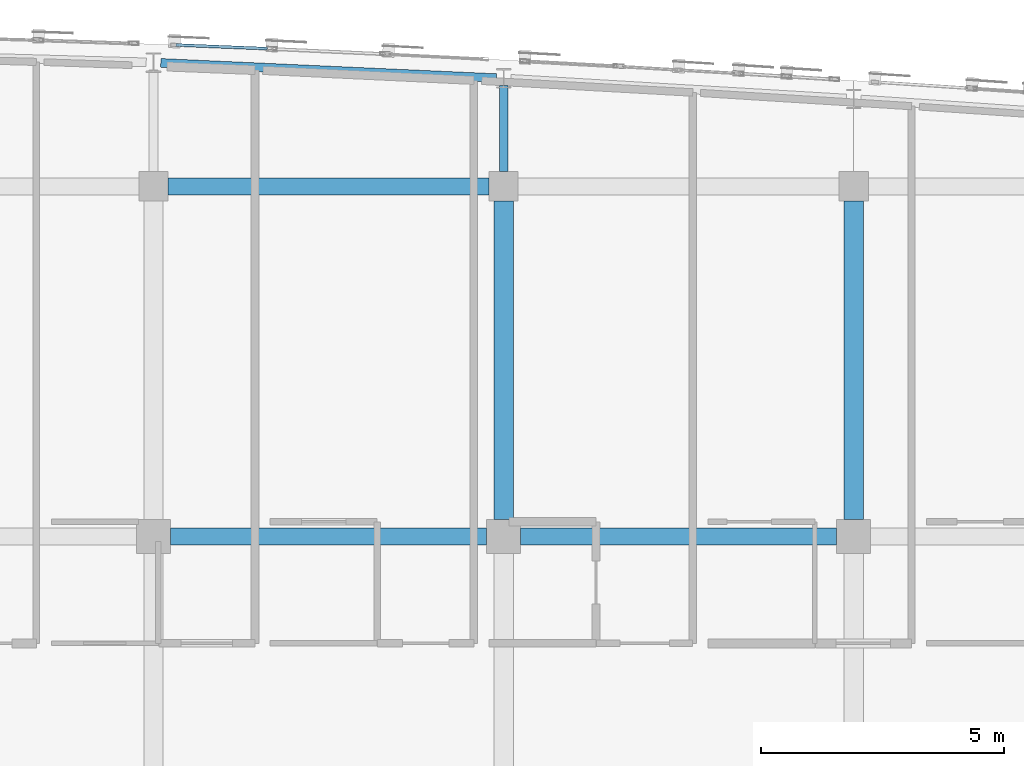
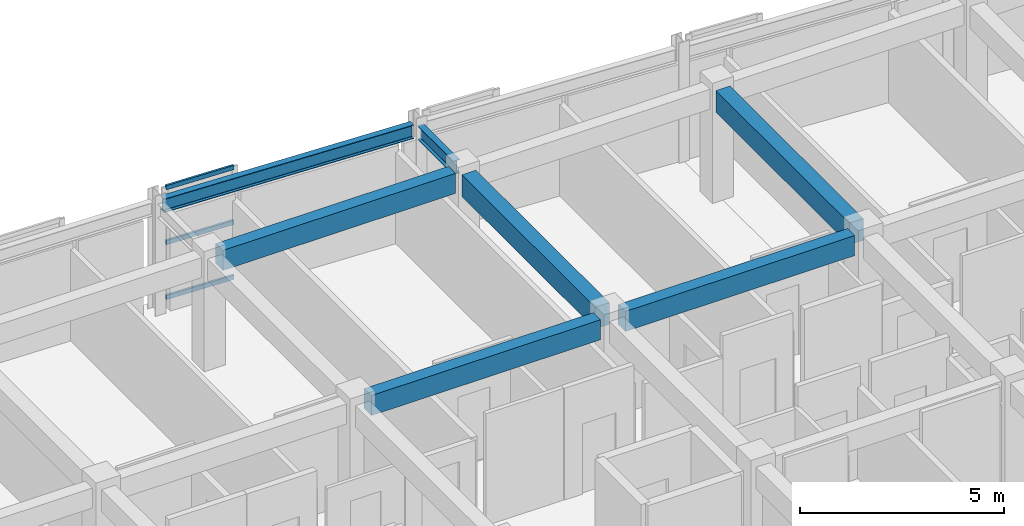
# One storey, part 21 of 50: 7 beams, 3 members, 1 element without a shape of its own.
"""IFC4 building model written with IfcOpenShell, lengths in metres."""

from ifc_helpers import new_model, si_unit, direction, frame, origin, origin_2d, place, context, subcontext, project, spatial, rectangle, hollow_rectangle, i_section, extrude, material, layer, layer_set, material_profile, profile_set, type_object, element, aggregate, save


model = new_model("IFC4")

# Units and contexts
model_context = context("Model", 3, precision=1e-05, world=origin(), true_north=direction((0.0, 1.0)))
body_context = subcontext(model_context, "Body", "Model", "MODEL_VIEW")
ifc_project = project(units=[si_unit("LENGTHUNIT", "METRE"), si_unit("AREAUNIT", "SQUARE_METRE"), si_unit("VOLUMEUNIT", "CUBIC_METRE"), si_unit("PLANEANGLEUNIT", "RADIAN"), si_unit("MASSUNIT", "GRAM", prefix="KILO")], contexts=[model_context])

# Site, building, storey
site_placement = place(None, origin())
site = spatial("IfcSite", under=ifc_project, at=site_placement, CompositionType="ELEMENT")
building_placement = place(site_placement, origin())
building = spatial("IfcBuilding", under=site, at=building_placement, Name="Carrowvane Square Congress Hotel", CompositionType="ELEMENT")
storey_placement = place(building_placement, frame((0.0, 0.0, 22.800048828125)))
storey = spatial("IfcBuildingStorey", under=building, at=storey_placement, Name="L05", CompositionType="ELEMENT", Elevation=22.800048828125)

# Beams
ifc_material_1 = material(Name="Concrete C35/45", Category="concrete")
ifc_material_profile_1 = material_profile(ifc_material_1, rectangle(XDim=0.35009765625, YDim=0.60009765625, at=origin_2d()), Name="RC 350x600")
ifc_profile_set_1 = profile_set([ifc_material_profile_1], Name="Concrete C35/45")
beam_type_1 = type_object("IfcBeamType", Name="BM-RC-350x600", PredefinedType="BEAM", material=ifc_profile_set_1)
for number, where, z_axis, x_axis, name in (
    (1, (112.75, 106.199951171875, 3.050048828125), (1.0, 0.0, 0.0), (0.0, 1.0, 0.0), "L06 girder Q/15-16"),
    (2, (119.949951171875, 106.199951171875, 3.050048828125), (1.0, 0.0, 0.0), (0.0, 1.0, 0.0), "L06 girder Q/16-17"),
):
    element("IfcBeam", number, at=place(storey_placement, frame(where, z_axis=z_axis, x_axis=x_axis)), inside=storey, type_object=beam_type_1, Name=name, PredefinedType="BEAM", context=body_context, shape_type="SweptSolid", body=[
        extrude(rectangle(XDim=0.35009765625, YDim=0.60009765625, at=origin_2d()), origin(), (0.0, 0.0, 1.0), 6.5),
    ])
beam_1_placement = place(storey_placement, frame((112.699951171875, 113.39990234375, 3.050048828125), z_axis=(1.0, 0.0, 0.0), x_axis=(0.0, 1.0, 0.0)))
element("IfcBeam", 3, at=beam_1_placement, inside=storey, type_object=beam_type_1, Name="L06 girder R/15-16", PredefinedType="BEAM", context=body_context, shape_type="SweptSolid", body=[
    extrude(rectangle(XDim=0.35009765625, YDim=0.60009765625, at=origin_2d()), origin(), (0.0, 0.0, 1.0), 6.60009765625),
])
ifc_material_2 = material(Name="Concrete C35/45", Category="concrete")
ifc_material_profile_2 = material_profile(ifc_material_2, rectangle(XDim=0.39990234375, YDim=0.64990234375, at=origin_2d()), Name="RC 400x650")
ifc_profile_set_2 = profile_set([ifc_material_profile_2], Name="Concrete C35/45")
beam_type_2 = type_object("IfcBeamType", Name="BM-RC-400x650", PredefinedType="BEAM", material=ifc_profile_set_2)
for number, where, z_axis, x_axis, name in (
    (4, (119.60009765625, 106.550048828125, 3.02490234375), (0.0, 1.0, 0.0), (-1.0, 0.0, 0.0), "L06 girder 16/Q-R"),
    (5, (126.800048828125, 106.550048828125, 3.02490234375), (0.0, 1.0, 0.0), (-1.0, 0.0, 0.0), "L06 girder 17/Q-R"),
):
    element("IfcBeam", number, at=place(storey_placement, frame(where, z_axis=z_axis, x_axis=x_axis)), inside=storey, type_object=beam_type_2, Name=name, PredefinedType="BEAM", context=body_context, shape_type="SweptSolid", body=[
        extrude(rectangle(XDim=0.39990234375, YDim=0.64990234375, at=origin_2d()), origin(), (0.0, 0.0, 1.0), 6.550048828125),
    ])
ifc_material_3 = material(Name="Steel S355", Category="steel")
ifc_material_profile_3 = material_profile(ifc_material_3, i_section(OverallWidth=0.1787109375, OverallDepth=0.409423828125, WebThickness=0.0087890625, FlangeThickness=0.014404296875, FilletRadius=0.01025390625, at=origin_2d()), Name="UKB 406x178x67")
ifc_profile_set_3 = profile_set([ifc_material_profile_3], Name="Steel S355")
beam_type_3 = type_object("IfcBeamType", Name="BM-ST-UKB406", PredefinedType="BEAM", material=ifc_profile_set_3)
beam_2_placement = place(storey_placement, frame((112.5498046875, 115.937255859375, 3.145263671875), z_axis=(0.998974507316, -0.045276193882, 0.0), x_axis=(0.045276193882, 0.998974507316, 0.0)))
element("IfcBeam", 6, at=beam_2_placement, inside=storey, type_object=beam_type_3, Name="L06 curved north spandrel", PredefinedType="BEAM", context=body_context, shape_type="SweptSolid", body=[
    extrude(i_section(OverallWidth=0.1787109375, OverallDepth=0.409423828125, WebThickness=0.0087890625, FlangeThickness=0.014404296875, FilletRadius=0.01025390625, at=origin_2d()), origin(), (0.0, 0.0, 1.0), 6.907470703125),
])
beam_3_placement = place(storey_placement, frame((119.60009765625, 113.699951171875, 3.145263671875), z_axis=(0.0, 1.0, 0.0), x_axis=(-1.0, 0.0, 0.0)))
element("IfcBeam", 7, at=beam_3_placement, inside=storey, type_object=beam_type_3, Name="L06 radial north beam 16", PredefinedType="BEAM", context=body_context, shape_type="SweptSolid", body=[
    extrude(i_section(OverallWidth=0.1787109375, OverallDepth=0.409423828125, WebThickness=0.0087890625, FlangeThickness=0.014404296875, FilletRadius=0.01025390625, at=origin_2d()), origin(), (0.0, 0.0, 1.0), 1.767578125),
])

# Curtain wall, members
ifc_material_4 = material(Name="Anodised aluminium", Category="aluminium")
ifc_layer = layer(ifc_material_4, 0.18603515625)
ifc_layer_set = layer_set([ifc_layer], Name="Anodised aluminium")
curtain_wall_type = type_object("IfcCurtainWallType", Name="CW-SYS-3", PredefinedType="NOTDEFINED", material=ifc_layer_set)
curtain_wall_placement = place(storey_placement, origin())
curtain_wall = element("IfcCurtainWall", 8, at=curtain_wall_placement, inside=storey, type_object=curtain_wall_type, Name="L05 unitised curtain wall 338", PredefinedType="NOTDEFINED")
ifc_material_5 = material(Name="Anodised aluminium", Category="aluminium")
ifc_material_profile_4 = material_profile(ifc_material_5, hollow_rectangle(XDim=0.06005859375, YDim=0.1298828125, WallThickness=0.00390625, at=origin_2d()), Name="CW-TR 60x130x4")
ifc_profile_set_4 = profile_set([ifc_material_profile_4], Name="Anodised aluminium")
member_type = type_object("IfcMemberType", Name="CW-TRN-1", PredefinedType="USERDEFINED", material=ifc_profile_set_4)
member_1_placement = place(storey_placement, frame((112.85888671875, 116.3056640625, 0.030029296875), z_axis=(0.999191609431, -0.040201090061, 0.0), x_axis=(0.040201090061, 0.999191609431, 0.0)))
member_1 = element("IfcMember", 9, at=member_1_placement, type_object=member_type, Name="CW-3 transom 1.1", ObjectType="TRANSOM", PredefinedType="USERDEFINED", context=body_context, shape_type="SweptSolid", body=[
    extrude(hollow_rectangle(XDim=0.06005859375, YDim=0.1298828125, WallThickness=0.00390625, at=origin_2d()), origin(), (0.0, 0.0, 1.0), 1.882568359375),
])
member_2_placement = place(storey_placement, frame((112.85888671875, 116.3056640625, 1.675048828125), z_axis=(0.999191609431, -0.040201090061, 0.0), x_axis=(0.040201090061, 0.999191609431, 0.0)))
member_2 = element("IfcMember", 10, at=member_2_placement, type_object=member_type, Name="CW-3 transom 1.2", ObjectType="TRANSOM", PredefinedType="USERDEFINED", context=body_context, shape_type="SweptSolid", body=[
    extrude(hollow_rectangle(XDim=0.06005859375, YDim=0.1298828125, WallThickness=0.00390625, at=origin_2d()), origin(), (0.0, 0.0, 1.0), 1.882568359375),
])
member_3_placement = place(storey_placement, frame((112.85888671875, 116.3056640625, 3.320068359375), z_axis=(0.999191609431, -0.040201090061, 0.0), x_axis=(0.040201090061, 0.999191609431, 0.0)))
member_3 = element("IfcMember", 11, at=member_3_placement, type_object=member_type, Name="CW-3 transom 1.3", ObjectType="TRANSOM", PredefinedType="USERDEFINED", context=body_context, shape_type="SweptSolid", body=[
    extrude(hollow_rectangle(XDim=0.06005859375, YDim=0.1298828125, WallThickness=0.00390625, at=origin_2d()), origin(), (0.0, 0.0, 1.0), 1.882568359375),
])
aggregate(curtain_wall, [member_1, member_2, member_3])

save(model, "model.ifc")
